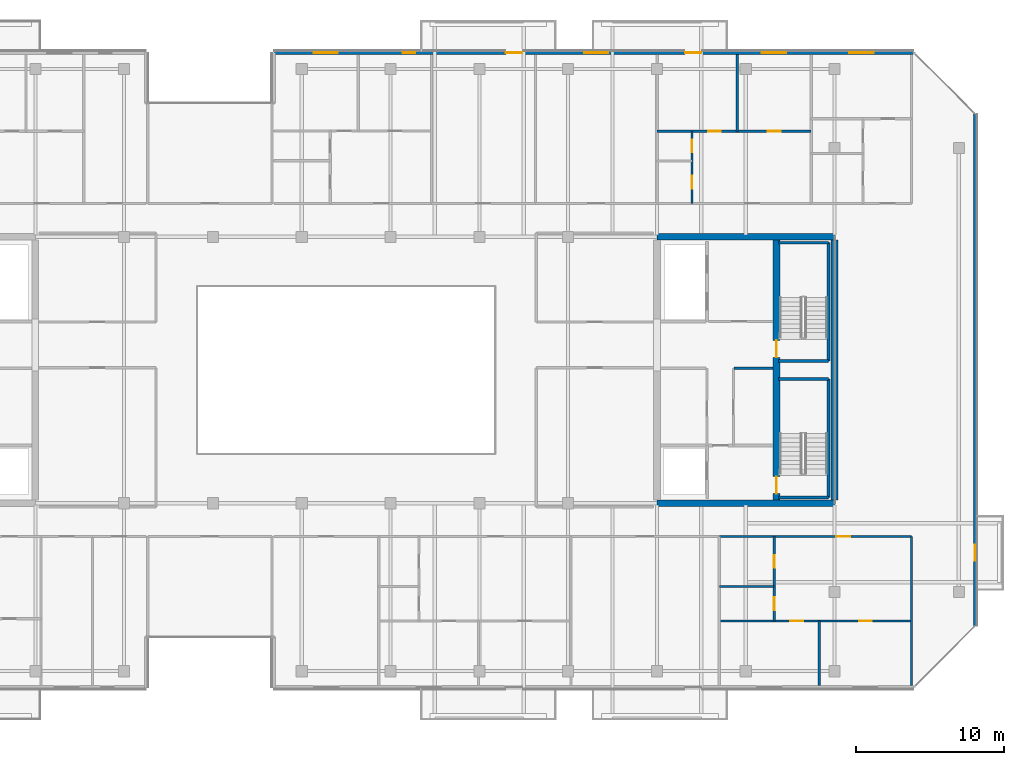
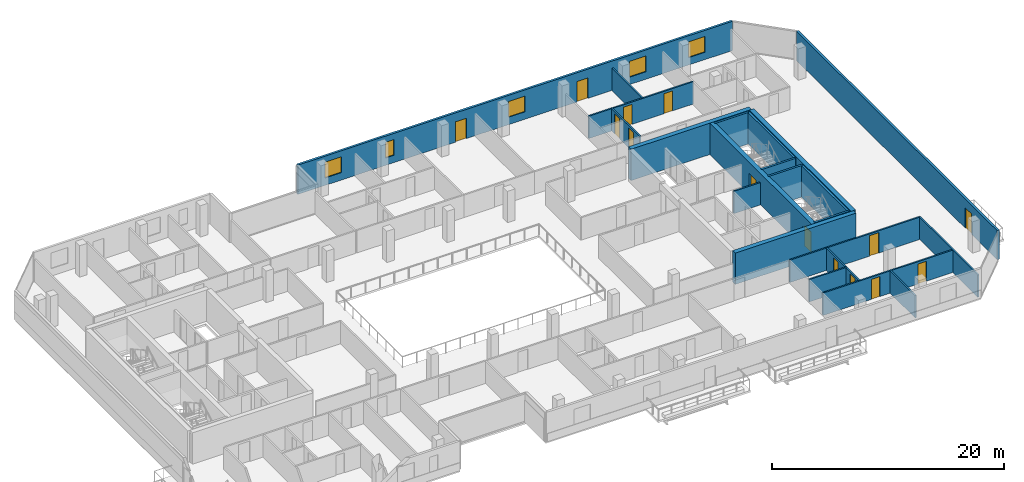
# One storey, part 22 of 28: 22 walls, 14 doors, 5 windows, 19 openings.
"""IFC4 building model written with IfcOpenShell, lengths in metres."""

from ifc_helpers import new_model, si_unit, direction, frame, frame_2d, origin, place, context, subcontext, project, spatial, rectangle, extrude, material, layer, layer_set, type_object, element, fill, save


model = new_model("IFC4")

# Units and contexts
model_context = context("Model", 3, precision=1e-05, world=origin(), true_north=direction((0.0, 1.0)))
body_context = subcontext(model_context, "Body", "Model", "MODEL_VIEW")
ifc_project = project(units=[si_unit("LENGTHUNIT", "METRE"), si_unit("AREAUNIT", "SQUARE_METRE"), si_unit("VOLUMEUNIT", "CUBIC_METRE"), si_unit("PLANEANGLEUNIT", "RADIAN"), si_unit("MASSUNIT", "GRAM", prefix="KILO")], contexts=[model_context])

# Site, building, storey
site_placement = place(None, origin())
site = spatial("IfcSite", under=ifc_project, at=site_placement, CompositionType="ELEMENT")
building_placement = place(site_placement, origin())
building = spatial("IfcBuilding", under=site, at=building_placement, Name="Tanjung Sevakor Pilgrim Tower", CompositionType="ELEMENT")
storey_placement = place(building_placement, frame((0.0, 0.0, 222.75)))
storey = spatial("IfcBuildingStorey", under=building, at=storey_placement, Name="L62", CompositionType="ELEMENT", Elevation=222.75)

# Walls
ifc_material_1 = material(Name="Concrete C60/75", Category="concrete")
ifc_layer_1 = layer(ifc_material_1, 0.449951171875)
ifc_layer_set_1 = layer_set([ifc_layer_1], Name="WALL-CW-450")
wall_type_1 = type_object("IfcWallType", Name="WALL-CW-450", PredefinedType="SHEAR", material=ifc_layer_set_1)
for number, where, z_axis, x_axis, name in (
    (1, (78.0, 24.60009765625, 0.0), (0.0, 0.0, 1.0), (1.0, 0.0, 0.0), "L62 E Core South Shear Wall"),
    (2, (90.0, 42.60009765625, 0.0), (0.0, 0.0, 1.0), (-1.0, 0.0, 0.0), "L62 E Core North Shear Wall"),
):
    element("IfcWall", number, at=place(storey_placement, frame(where, z_axis=z_axis, x_axis=x_axis)), inside=storey, type_object=wall_type_1, Name=name, PredefinedType="SHEAR", context=body_context, shape_type="SweptSolid", body=[
        extrude(rectangle(XDim=12.0, YDim=0.449951171875, at=frame_2d((6.0, 0.0))), origin(), (0.0, 0.0, 1.0), 3.300048828125),
    ])
wall_1_placement = place(storey_placement, frame((90.0, 24.824951171875, 0.0), z_axis=(0.0, 0.0, 1.0), x_axis=(0.0, 1.0, 0.0)))
element("IfcWall", 3, at=wall_1_placement, inside=storey, type_object=wall_type_1, Name="L62 E Core Outer Shear Wall", PredefinedType="SHEAR", context=body_context, shape_type="SweptSolid", body=[
    extrude(rectangle(XDim=17.550048828125, YDim=0.449951171875, at=frame_2d((8.77490234375, 0.0))), origin(), (0.0, 0.0, 1.0), 3.300048828125),
])

# Wall, openings, doors
wall_2_placement = place(storey_placement, frame((86.074951171875, 24.824951171875, 0.0), z_axis=(0.0, 0.0, 1.0), x_axis=(0.0, 1.0, 0.0)))
wall_2 = element("IfcWall", 4, at=wall_2_placement, inside=storey, type_object=wall_type_1, Name="L62 E Core Stair Spine Wall", PredefinedType="SHEAR", context=body_context, shape_type="SweptSolid", body=[
    extrude(rectangle(XDim=17.550048828125, YDim=0.449951171875, at=frame_2d((8.77490234375, 0.0))), origin(), (0.0, 0.0, 1.0), 3.300048828125),
])
opening_1_placement = place(wall_2_placement, frame((0.425048828125, 0.0, 0.0)))
opening_1 = element("IfcOpeningElement", 5, at=opening_1_placement, cuts=wall_2, Name="Opening ID-ST1", PredefinedType="OPENING", context=body_context, shape_type="SweptSolid", body=[
    extrude(rectangle(XDim=1.14990234375, YDim=2.14990234375, at=frame_2d((0.574951171875, 1.074951171875))), frame((0.0, 0.23486328125, 0.0), z_axis=(0.0, -1.0, 0.0), x_axis=(1.0, 0.0, 0.0)), (0.0, 0.0, 1.0), 0.469970703125),
])
opening_2_placement = place(wall_2_placement, frame((9.625, 0.0, 0.0)))
opening_2 = element("IfcOpeningElement", 6, at=opening_2_placement, cuts=wall_2, Name="Opening ID-ST1", PredefinedType="OPENING", context=body_context, shape_type="SweptSolid", body=[
    extrude(rectangle(XDim=1.14990234375, YDim=2.14990234375, at=frame_2d((0.574951171875, 1.074951171875))), frame((0.0, 0.23486328125, 0.0), z_axis=(0.0, -1.0, 0.0), x_axis=(1.0, 0.0, 0.0)), (0.0, 0.0, 1.0), 0.469970703125),
])
ifc_material_2 = material(Name="Fire-Rated Steel S355J2", Category="steel")
door_type_1 = type_object("IfcDoorType", Name="DT-FIRE-1150", OperationType="NOTDEFINED", PredefinedType="DOOR", material=ifc_material_2)
door_1_placement = place(opening_1_placement, origin())
door_1 = element("IfcDoor", 7, at=door_1_placement, inside=storey, type_object=door_type_1, Name="L62 TS-E1 Stair Fire Door", OperationType="SINGLE_SWING_RIGHT", OverallHeight=2.14990234375, OverallWidth=1.14990234375, PredefinedType="DOOR", context=body_context, shape_type="SweptSolid", body=[
    extrude(rectangle(XDim=1.14990234375, YDim=2.14990234375, at=frame_2d((0.574951171875, 1.074951171875))), frame((0.0, 0.02490234375, 0.0), z_axis=(0.0, -1.0, 0.0), x_axis=(1.0, 0.0, 0.0)), (0.0, 0.0, 1.0), 0.050048828125),
])
fill(opening_1, door_1)
door_2_placement = place(opening_2_placement, origin())
door_2 = element("IfcDoor", 8, at=door_2_placement, inside=storey, type_object=door_type_1, Name="L62 TS-E2 Stair Fire Door", OperationType="SINGLE_SWING_LEFT", OverallHeight=2.14990234375, OverallWidth=1.14990234375, PredefinedType="DOOR", context=body_context, shape_type="SweptSolid", body=[
    extrude(rectangle(XDim=1.14990234375, YDim=2.14990234375, at=frame_2d((0.574951171875, 1.074951171875))), frame((0.0, 0.02490234375, 0.0), z_axis=(0.0, -1.0, 0.0), x_axis=(1.0, 0.0, 0.0)), (0.0, 0.0, 1.0), 0.050048828125),
])
fill(opening_2, door_2)

# Walls
ifc_material_3 = material(Name="Concrete C40/50", Category="concrete")
ifc_layer_2 = layer(ifc_material_3, 0.14990234375)
ifc_layer_set_2 = layer_set([ifc_layer_2], Name="WT-COMP-150")
wall_type_2 = type_object("IfcWallType", Name="WT-COMP-150", PredefinedType="SOLIDWALL", material=ifc_layer_set_2)
wall_3_placement = place(storey_placement, frame((83.199951171875, 33.719970703125, 0.0), z_axis=(0.0, 0.0, 1.0), x_axis=(1.0, 0.0, 0.0)))
element("IfcWall", 9, at=wall_3_placement, inside=storey, type_object=wall_type_2, Name="L62 Partition IW-L62-012", PredefinedType="SOLIDWALL", context=body_context, shape_type="SweptSolid", body=[
    extrude(rectangle(XDim=2.630126953125, YDim=0.14990234375, at=frame_2d((1.31494140625, 0.0))), origin(), (0.0, 0.0, 1.0), 2.35009765625),
])
wall_4_placement = place(storey_placement, frame((95.199951171875, 12.27001953125, 0.0), z_axis=(0.0, 0.0, 1.0), x_axis=(0.0, 1.0, 0.0)))
element("IfcWall", 10, at=wall_4_placement, inside=storey, type_object=wall_type_2, Name="L62 Partition IW-L62-048", PredefinedType="SOLIDWALL", context=body_context, shape_type="SweptSolid", body=[
    extrude(rectangle(XDim=10.080078125, YDim=0.14990234375, at=frame_2d((5.0400390625, 0.0))), origin(), (0.0, 0.0, 1.0), 2.35009765625),
])

# Wall, opening, door
wall_5_placement = place(storey_placement, frame((82.216796875, 22.35009765625, 0.0), z_axis=(0.0, 0.0, 1.0), x_axis=(1.0, 0.0, 0.0)))
wall_5 = element("IfcWall", 11, at=wall_5_placement, inside=storey, type_object=wall_type_2, Name="L62 Partition IW-L62-063", PredefinedType="SOLIDWALL", context=body_context, shape_type="SweptSolid", body=[
    extrude(rectangle(XDim=12.983154296875, YDim=0.14990234375, at=frame_2d((6.49169921875, 0.0))), origin(), (0.0, 0.0, 1.0), 2.35009765625),
])
opening_3_placement = place(wall_5_placement, frame((7.908203125, 0.0, 0.0)))
opening_3 = element("IfcOpeningElement", 12, at=opening_3_placement, cuts=wall_5, Name="Opening ID-FD2", PredefinedType="OPENING", context=body_context, shape_type="SweptSolid", body=[
    extrude(rectangle(XDim=0.949951171875, YDim=2.14990234375, at=frame_2d((0.47509765625, 1.074951171875))), frame((0.0, 0.0849609375, 0.0), z_axis=(0.0, -1.0, 0.0), x_axis=(1.0, 0.0, 0.0)), (0.0, 0.0, 1.0), 0.169921875),
])
ifc_material_4 = material(Name="Fire-Rated Timber", Category="wood")
door_type_2 = type_object("IfcDoorType", Name="DT-FIRE-950", OperationType="NOTDEFINED", PredefinedType="DOOR", material=ifc_material_4)
door_3_placement = place(opening_3_placement, origin())
door_3 = element("IfcDoor", 13, at=door_3_placement, inside=storey, type_object=door_type_2, Name="Suite Entrance", OperationType="SINGLE_SWING_RIGHT", OverallHeight=2.14990234375, OverallWidth=0.949951171875, PredefinedType="DOOR", context=body_context, shape_type="SweptSolid", body=[
    extrude(rectangle(XDim=0.949951171875, YDim=2.14990234375, at=frame_2d((0.47509765625, 1.074951171875))), frame((0.0, 0.02490234375, 0.0), z_axis=(0.0, -1.0, 0.0), x_axis=(1.0, 0.0, 0.0)), (0.0, 0.0, 1.0), 0.050048828125),
])
fill(opening_3, door_3)

ifc_material_5 = material(Name="Precast concrete C45/55", Category="concrete")
ifc_layer_3 = layer(ifc_material_5, 0.219970703125)
ifc_layer_set_3 = layer_set([ifc_layer_3], Name="WT-EW-STN4")
wall_type_3 = type_object("IfcWallType", Name="WT-EW-STN4", PredefinedType="SOLIDWALL", material=ifc_layer_set_3)
wall_6_placement = place(storey_placement, frame((99.489990234375, 16.295654296875, 0.0), z_axis=(0.0, 0.0, 1.0), x_axis=(0.0, 1.0, 0.0)))
wall_6 = element("IfcWall", 14, at=wall_6_placement, inside=storey, type_object=wall_type_3, Name="L62 MAIN Exterior Wall 7", PredefinedType="SOLIDWALL", context=body_context, shape_type="SweptSolid", body=[
    extrude(rectangle(XDim=34.608642578125, YDim=0.219970703125, at=frame_2d((17.30419921875, 0.0))), origin(), (0.0, 0.0, 1.0), 3.080078125),
])
opening_4_placement = place(wall_6_placement, frame((4.404296875, 0.0, 0.0)))
opening_4 = element("IfcOpeningElement", 15, at=opening_4_placement, cuts=wall_6, Name="Opening ED-BAL-1100", PredefinedType="OPENING", context=body_context, shape_type="SweptSolid", body=[
    extrude(rectangle(XDim=1.10009765625, YDim=2.14990234375, at=frame_2d((0.550048828125, 1.074951171875))), frame((0.0, 0.119873046875, 0.0), z_axis=(0.0, -1.0, 0.0), x_axis=(1.0, 0.0, 0.0)), (0.0, 0.0, 1.0), 0.239990234375),
])
ifc_material_6 = material(Name="Anodised Aluminium and Laminated Glass", Category="aluminium")
door_type_3 = type_object("IfcDoorType", Name="DTYP-ED-BAL-1100", OperationType="NOTDEFINED", PredefinedType="DOOR", material=ifc_material_6)
door_4_placement = place(opening_4_placement, frame((1.10009765625, 0.0, 0.0), z_axis=(0.0, 0.0, 1.0), x_axis=(-1.0, 0.0, 0.0)))
door_4 = element("IfcDoor", 16, at=door_4_placement, inside=storey, type_object=door_type_3, Name="L62 East Loggia Door MAIN-E1", OperationType="SINGLE_SWING_RIGHT", OverallHeight=2.14990234375, OverallWidth=1.10009765625, PredefinedType="DOOR", context=body_context, shape_type="SweptSolid", body=[
    extrude(rectangle(XDim=1.10009765625, YDim=2.14990234375, at=frame_2d((0.550048828125, 1.074951171875))), frame((0.0, 0.02490234375, 0.0), z_axis=(0.0, -1.0, 0.0), x_axis=(1.0, 0.0, 0.0)), (0.0, 0.0, 1.0), 0.050048828125),
])
fill(opening_4, door_4)

# Wall, openings, doors, windows
wall_7_placement = place(storey_placement, frame((95.3544921875, 55.0400390625, 0.0), z_axis=(0.0, 0.0, 1.0), x_axis=(-1.0, 0.0, 0.0)))
wall_7 = element("IfcWall", 17, at=wall_7_placement, inside=storey, type_object=wall_type_3, Name="L62 MAIN Exterior Wall 9", PredefinedType="SOLIDWALL", context=body_context, shape_type="SweptSolid", body=[
    extrude(rectangle(XDim=43.244384765625, YDim=0.219970703125, at=frame_2d((21.6220703125, 0.0))), origin(), (0.0, 0.0, 1.0), 3.080078125),
])
opening_5_placement = place(wall_7_placement, frame((26.454345703125, 0.0, 0.0)))
opening_5 = element("IfcOpeningElement", 18, at=opening_5_placement, cuts=wall_7, Name="Opening ED-BAL-1100", PredefinedType="OPENING", context=body_context, shape_type="SweptSolid", body=[
    extrude(rectangle(XDim=1.10009765625, YDim=2.14990234375, at=frame_2d((0.550048828125, 1.074951171875))), frame((0.0, 0.119873046875, 0.0), z_axis=(0.0, -1.0, 0.0), x_axis=(1.0, 0.0, 0.0)), (0.0, 0.0, 1.0), 0.239990234375),
])
opening_6_placement = place(wall_7_placement, frame((14.3544921875, 0.0, 0.0)))
opening_6 = element("IfcOpeningElement", 19, at=opening_6_placement, cuts=wall_7, Name="Opening ED-BAL-1100", PredefinedType="OPENING", context=body_context, shape_type="SweptSolid", body=[
    extrude(rectangle(XDim=1.10009765625, YDim=2.14990234375, at=frame_2d((0.550048828125, 1.074951171875))), frame((0.0, 0.119873046875, 0.0), z_axis=(0.0, -1.0, 0.0), x_axis=(1.0, 0.0, 0.0)), (0.0, 0.0, 1.0), 0.239990234375),
])
opening_7_placement = place(wall_7_placement, frame((38.909423828125, 0.0, 0.780029296875)))
opening_7 = element("IfcOpeningElement", 20, at=opening_7_placement, cuts=wall_7, Name="Opening WN-Z4-1660", PredefinedType="OPENING", context=body_context, shape_type="SweptSolid", body=[
    extrude(rectangle(XDim=1.64990234375, YDim=1.659912109375, at=frame_2d((0.824951171875, 0.830078125))), frame((0.0, 0.119873046875, 0.0), z_axis=(0.0, -1.0, 0.0), x_axis=(1.0, 0.0, 0.0)), (0.0, 0.0, 1.0), 0.239990234375),
])
opening_8_placement = place(wall_7_placement, frame((33.684814453125, 0.0, 0.780029296875)))
opening_8 = element("IfcOpeningElement", 21, at=opening_8_placement, cuts=wall_7, Name="Opening WN-SLM", PredefinedType="OPENING", context=body_context, shape_type="SweptSolid", body=[
    extrude(rectangle(XDim=0.85009765625, YDim=1.64990234375, at=frame_2d((0.425048828125, 0.824951171875))), frame((0.0, 0.119873046875, 0.0), z_axis=(0.0, -1.0, 0.0), x_axis=(1.0, 0.0, 0.0)), (0.0, 0.0, 1.0), 0.239990234375),
])
opening_9_placement = place(wall_7_placement, frame((20.627197265625, 0.0, 0.780029296875)))
opening_9 = element("IfcOpeningElement", 22, at=opening_9_placement, cuts=wall_7, Name="Opening WN-Z4-1660", PredefinedType="OPENING", context=body_context, shape_type="SweptSolid", body=[
    extrude(rectangle(XDim=1.64990234375, YDim=1.659912109375, at=frame_2d((0.824951171875, 0.830078125))), frame((0.0, 0.119873046875, 0.0), z_axis=(0.0, -1.0, 0.0), x_axis=(1.0, 0.0, 0.0)), (0.0, 0.0, 1.0), 0.239990234375),
])
opening_10_placement = place(wall_7_placement, frame((8.613525390625, 0.0, 0.780029296875)))
opening_10 = element("IfcOpeningElement", 23, at=opening_10_placement, cuts=wall_7, Name="Opening WN-Z4-1660", PredefinedType="OPENING", context=body_context, shape_type="SweptSolid", body=[
    extrude(rectangle(XDim=1.64990234375, YDim=1.659912109375, at=frame_2d((0.824951171875, 0.830078125))), frame((0.0, 0.119873046875, 0.0), z_axis=(0.0, -1.0, 0.0), x_axis=(1.0, 0.0, 0.0)), (0.0, 0.0, 1.0), 0.239990234375),
])
opening_11_placement = place(wall_7_placement, frame((2.717529296875, 0.0, 0.780029296875)))
opening_11 = element("IfcOpeningElement", 24, at=opening_11_placement, cuts=wall_7, Name="Opening WN-Z4-1660", PredefinedType="OPENING", context=body_context, shape_type="SweptSolid", body=[
    extrude(rectangle(XDim=1.64990234375, YDim=1.659912109375, at=frame_2d((0.824951171875, 0.830078125))), frame((0.0, 0.119873046875, 0.0), z_axis=(0.0, -1.0, 0.0), x_axis=(1.0, 0.0, 0.0)), (0.0, 0.0, 1.0), 0.239990234375),
])
door_5_placement = place(opening_5_placement, frame((1.10009765625, 0.0, 0.0), z_axis=(0.0, 0.0, 1.0), x_axis=(-1.0, 0.0, 0.0)))
door_5 = element("IfcDoor", 25, at=door_5_placement, inside=storey, type_object=door_type_3, Name="L62 Balcony Door MAIN-N2", OperationType="SINGLE_SWING_LEFT", OverallHeight=2.14990234375, OverallWidth=1.10009765625, PredefinedType="DOOR", context=body_context, shape_type="SweptSolid", body=[
    extrude(rectangle(XDim=1.10009765625, YDim=2.14990234375, at=frame_2d((0.550048828125, 1.074951171875))), frame((0.0, 0.02490234375, 0.0), z_axis=(0.0, -1.0, 0.0), x_axis=(1.0, 0.0, 0.0)), (0.0, 0.0, 1.0), 0.050048828125),
])
fill(opening_5, door_5)
door_6_placement = place(opening_6_placement, frame((1.10009765625, 0.0, 0.0), z_axis=(0.0, 0.0, 1.0), x_axis=(-1.0, 0.0, 0.0)))
door_6 = element("IfcDoor", 26, at=door_6_placement, inside=storey, type_object=door_type_3, Name="L62 Balcony Door MAIN-N3", OperationType="SINGLE_SWING_RIGHT", OverallHeight=2.14990234375, OverallWidth=1.10009765625, PredefinedType="DOOR", context=body_context, shape_type="SweptSolid", body=[
    extrude(rectangle(XDim=1.10009765625, YDim=2.14990234375, at=frame_2d((0.550048828125, 1.074951171875))), frame((0.0, 0.02490234375, 0.0), z_axis=(0.0, -1.0, 0.0), x_axis=(1.0, 0.0, 0.0)), (0.0, 0.0, 1.0), 0.050048828125),
])
fill(opening_6, door_6)
ifc_material_7 = material(Name="Thermally Broken Aluminium and Low-E Glass", Category="aluminium")
window_type_1 = type_object("IfcWindowType", Name="WTYP-WN-SLM", PartitioningType="SINGLE_PANEL", PredefinedType="WINDOW", material=ifc_material_7)
window_1_placement = place(opening_8_placement, origin())
window_1 = element("IfcWindow", 27, at=window_1_placement, inside=storey, type_object=window_type_1, Name="L62 Facade Window 02", OverallHeight=1.64990234375, OverallWidth=0.85009765625, PartitioningType="SINGLE_PANEL", PredefinedType="WINDOW", context=body_context, shape_type="SweptSolid", body=[
    extrude(rectangle(XDim=0.85009765625, YDim=1.64990234375, at=frame_2d((0.425048828125, 0.824951171875))), frame((0.0, 0.030029296875, 0.0), z_axis=(0.0, -1.0, 0.0), x_axis=(1.0, 0.0, 0.0)), (0.0, 0.0, 1.0), 0.06005859375),
])
fill(opening_8, window_1)
ifc_material_8 = material(Name="Thermally Broken Aluminium and Low-E Glass", Category="aluminium")
window_type_2 = type_object("IfcWindowType", Name="WTYP-WN-Z4-1660", PartitioningType="DOUBLE_PANEL_VERTICAL", PredefinedType="WINDOW", material=ifc_material_8)
window_2_placement = place(opening_7_placement, origin())
window_2 = element("IfcWindow", 28, at=window_2_placement, inside=storey, type_object=window_type_2, Name="L62 Facade Window 01", OverallHeight=1.659912109375, OverallWidth=1.64990234375, PartitioningType="SINGLE_PANEL", PredefinedType="WINDOW", context=body_context, shape_type="SweptSolid", body=[
    extrude(rectangle(XDim=1.64990234375, YDim=1.659912109375, at=frame_2d((0.824951171875, 0.830078125))), frame((0.0, 0.030029296875, 0.0), z_axis=(0.0, -1.0, 0.0), x_axis=(1.0, 0.0, 0.0)), (0.0, 0.0, 1.0), 0.06005859375),
])
fill(opening_7, window_2)
window_3_placement = place(opening_9_placement, origin())
window_3 = element("IfcWindow", 29, at=window_3_placement, inside=storey, type_object=window_type_2, Name="L62 Facade Window 03", OverallHeight=1.659912109375, OverallWidth=1.64990234375, PartitioningType="SINGLE_PANEL", PredefinedType="WINDOW", context=body_context, shape_type="SweptSolid", body=[
    extrude(rectangle(XDim=1.64990234375, YDim=1.659912109375, at=frame_2d((0.824951171875, 0.830078125))), frame((0.0, 0.030029296875, 0.0), z_axis=(0.0, -1.0, 0.0), x_axis=(1.0, 0.0, 0.0)), (0.0, 0.0, 1.0), 0.06005859375),
])
fill(opening_9, window_3)
window_4_placement = place(opening_10_placement, origin())
window_4 = element("IfcWindow", 30, at=window_4_placement, inside=storey, type_object=window_type_2, Name="L62 Facade Window 04", OverallHeight=1.659912109375, OverallWidth=1.64990234375, PartitioningType="SINGLE_PANEL", PredefinedType="WINDOW", context=body_context, shape_type="SweptSolid", body=[
    extrude(rectangle(XDim=1.64990234375, YDim=1.659912109375, at=frame_2d((0.824951171875, 0.830078125))), frame((0.0, 0.030029296875, 0.0), z_axis=(0.0, -1.0, 0.0), x_axis=(1.0, 0.0, 0.0)), (0.0, 0.0, 1.0), 0.06005859375),
])
fill(opening_10, window_4)
window_5_placement = place(opening_11_placement, origin())
window_5 = element("IfcWindow", 31, at=window_5_placement, inside=storey, type_object=window_type_2, Name="L62 Facade Window 05", OverallHeight=1.659912109375, OverallWidth=1.64990234375, PartitioningType="SINGLE_PANEL", PredefinedType="WINDOW", context=body_context, shape_type="SweptSolid", body=[
    extrude(rectangle(XDim=1.64990234375, YDim=1.659912109375, at=frame_2d((0.824951171875, 0.830078125))), frame((0.0, 0.030029296875, 0.0), z_axis=(0.0, -1.0, 0.0), x_axis=(1.0, 0.0, 0.0)), (0.0, 0.0, 1.0), 0.06005859375),
])
fill(opening_11, window_5)

# Walls
ifc_material_9 = material(Name="Concrete C40/50", Category="concrete")
ifc_layer_4 = layer(ifc_material_9, 0.199951171875)
ifc_layer_set_4 = layer_set([ifc_layer_4], Name="WT-FIRE-200")
wall_type_4 = type_object("IfcWallType", Name="WT-FIRE-200", PredefinedType="SOLIDWALL", material=ifc_layer_set_4)
wall_8_placement = place(storey_placement, frame((86.199951171875, 25.0, 0.0), z_axis=(0.0, 0.0, 1.0), x_axis=(1.0, 0.0, 0.0)))
element("IfcWall", 32, at=wall_8_placement, inside=storey, type_object=wall_type_4, Name="L62 TS-E1 Shaft Wall 1", PredefinedType="SOLIDWALL", context=body_context, shape_type="SweptSolid", body=[
    extrude(rectangle(XDim=3.400146484375, YDim=0.199951171875, at=frame_2d((1.7001953125, 0.0))), origin(), (0.0, 0.0, 1.0), 3.300048828125),
])
wall_9_placement = place(storey_placement, frame((89.60009765625, 25.0, 0.0), z_axis=(0.0, 0.0, 1.0), x_axis=(0.0, 1.0, 0.0)))
element("IfcWall", 33, at=wall_9_placement, inside=storey, type_object=wall_type_4, Name="L62 TS-E1 Shaft Wall 2", PredefinedType="SOLIDWALL", context=body_context, shape_type="SweptSolid", body=[
    extrude(rectangle(XDim=8.0, YDim=0.199951171875, at=frame_2d((4.0, 0.0))), origin(), (0.0, 0.0, 1.0), 3.300048828125),
])
for number, where, z_axis, x_axis, name in (
    (34, (89.60009765625, 33.0, 0.0), (0.0, 0.0, 1.0), (-1.0, 0.0, 0.0), "L62 TS-E1 Shaft Wall 3"),
    (35, (86.199951171875, 34.199951171875, 0.0), (0.0, 0.0, 1.0), (1.0, 0.0, 0.0), "L62 TS-E2 Shaft Wall 1"),
):
    element("IfcWall", number, at=place(storey_placement, frame(where, z_axis=z_axis, x_axis=x_axis)), inside=storey, type_object=wall_type_4, Name=name, PredefinedType="SOLIDWALL", context=body_context, shape_type="SweptSolid", body=[
        extrude(rectangle(XDim=3.400146484375, YDim=0.199951171875, at=frame_2d((1.7001953125, 0.0))), origin(), (0.0, 0.0, 1.0), 3.300048828125),
    ])
wall_10_placement = place(storey_placement, frame((89.60009765625, 34.199951171875, 0.0), z_axis=(0.0, 0.0, 1.0), x_axis=(0.0, 1.0, 0.0)))
element("IfcWall", 36, at=wall_10_placement, inside=storey, type_object=wall_type_4, Name="L62 TS-E2 Shaft Wall 2", PredefinedType="SOLIDWALL", context=body_context, shape_type="SweptSolid", body=[
    extrude(rectangle(XDim=8.0, YDim=0.199951171875, at=frame_2d((4.0, 0.0))), origin(), (0.0, 0.0, 1.0), 3.300048828125),
])
wall_11_placement = place(storey_placement, frame((89.60009765625, 42.199951171875, 0.0), z_axis=(0.0, 0.0, 1.0), x_axis=(-1.0, 0.0, 0.0)))
element("IfcWall", 37, at=wall_11_placement, inside=storey, type_object=wall_type_4, Name="L62 TS-E2 Shaft Wall 3", PredefinedType="SOLIDWALL", context=body_context, shape_type="SweptSolid", body=[
    extrude(rectangle(XDim=3.400146484375, YDim=0.199951171875, at=frame_2d((1.7001953125, 0.0))), origin(), (0.0, 0.0, 1.0), 3.300048828125),
])
ifc_material_10 = material(Name="Gypsum Board Partition", Category="gypsum board")
ifc_layer_5 = layer(ifc_material_10, 0.14990234375)
ifc_layer_set_5 = layer_set([ifc_layer_5], Name="WT-PART-150")
wall_type_5 = type_object("IfcWallType", Name="WT-PART-150", PredefinedType="PARTITIONING", material=ifc_layer_set_5)
wall_12_placement = place(storey_placement, frame((82.216796875, 18.98095703125, 0.0), z_axis=(0.0, 0.0, 1.0), x_axis=(1.0, 0.0, 0.0)))
element("IfcWall", 38, at=wall_12_placement, inside=storey, type_object=wall_type_5, Name="L62 Partition IW-L62-059", PredefinedType="PARTITIONING", context=body_context, shape_type="SweptSolid", body=[
    extrude(rectangle(XDim=3.703125, YDim=0.14990234375, at=frame_2d((1.8515625, 0.0))), origin(), (0.0, 0.0, 1.0), 2.35009765625),
])

# Wall, openings, doors
wall_13_placement = place(storey_placement, frame((85.919921875, 16.6396484375, 0.0), z_axis=(0.0, 0.0, 1.0), x_axis=(0.0, 1.0, 0.0)))
wall_13 = element("IfcWall", 39, at=wall_13_placement, inside=storey, type_object=wall_type_5, Name="L62 Partition IW-L62-060", PredefinedType="PARTITIONING", context=body_context, shape_type="SweptSolid", body=[
    extrude(rectangle(XDim=5.71044921875, YDim=0.14990234375, at=frame_2d((2.855224609375, 0.0))), origin(), (0.0, 0.0, 1.0), 2.35009765625),
])
opening_12_placement = place(wall_13_placement, frame((0.74560546875, 0.0, 0.0)))
opening_12 = element("IfcOpeningElement", 40, at=opening_12_placement, cuts=wall_13, Name="Opening ID-WC1", PredefinedType="OPENING", context=body_context, shape_type="SweptSolid", body=[
    extrude(rectangle(XDim=0.85009765625, YDim=2.10009765625, at=frame_2d((0.425048828125, 1.050048828125))), frame((0.0, 0.0849609375, 0.0), z_axis=(0.0, -1.0, 0.0), x_axis=(1.0, 0.0, 0.0)), (0.0, 0.0, 1.0), 0.169921875),
])
opening_13_placement = place(wall_13_placement, frame((3.600830078125, 0.0, 0.0)))
opening_13 = element("IfcOpeningElement", 41, at=opening_13_placement, cuts=wall_13, Name="Opening ID-WC1", PredefinedType="OPENING", context=body_context, shape_type="SweptSolid", body=[
    extrude(rectangle(XDim=0.85009765625, YDim=2.10009765625, at=frame_2d((0.425048828125, 1.050048828125))), frame((0.0, 0.0849609375, 0.0), z_axis=(0.0, -1.0, 0.0), x_axis=(1.0, 0.0, 0.0)), (0.0, 0.0, 1.0), 0.169921875),
])
ifc_material_11 = material(Name="Moisture-Resistant Timber", Category="wood")
door_type_4 = type_object("IfcDoorType", Name="DT-INT-850", OperationType="NOTDEFINED", PredefinedType="DOOR", material=ifc_material_11)
door_7_placement = place(opening_12_placement, origin())
door_7 = element("IfcDoor", 42, at=door_7_placement, inside=storey, type_object=door_type_4, Name="Suite Bathroom Door", OperationType="SINGLE_SWING_RIGHT", OverallHeight=2.10009765625, OverallWidth=0.85009765625, PredefinedType="DOOR", context=body_context, shape_type="SweptSolid", body=[
    extrude(rectangle(XDim=0.85009765625, YDim=2.10009765625, at=frame_2d((0.425048828125, 1.050048828125))), frame((0.0, 0.02490234375, 0.0), z_axis=(0.0, -1.0, 0.0), x_axis=(1.0, 0.0, 0.0)), (0.0, 0.0, 1.0), 0.050048828125),
])
fill(opening_12, door_7)
door_8_placement = place(opening_13_placement, origin())
door_8 = element("IfcDoor", 43, at=door_8_placement, inside=storey, type_object=door_type_4, Name="Suite Kitchenette Door", OperationType="SINGLE_SWING_LEFT", OverallHeight=2.10009765625, OverallWidth=0.85009765625, PredefinedType="DOOR", context=body_context, shape_type="SweptSolid", body=[
    extrude(rectangle(XDim=0.85009765625, YDim=2.10009765625, at=frame_2d((0.425048828125, 1.050048828125))), frame((0.0, 0.02490234375, 0.0), z_axis=(0.0, -1.0, 0.0), x_axis=(1.0, 0.0, 0.0)), (0.0, 0.0, 1.0), 0.050048828125),
])
fill(opening_13, door_8)

# Wall
wall_14_placement = place(storey_placement, frame((88.968017578125, 12.27001953125, 0.0), z_axis=(0.0, 0.0, 1.0), x_axis=(0.0, 1.0, 0.0)))
element("IfcWall", 44, at=wall_14_placement, inside=storey, type_object=wall_type_5, Name="L62 Partition IW-L62-061", PredefinedType="PARTITIONING", context=body_context, shape_type="SweptSolid", body=[
    extrude(rectangle(XDim=4.36962890625, YDim=0.14990234375, at=frame_2d((2.184814453125, 0.0))), origin(), (0.0, 0.0, 1.0), 2.35009765625),
])

# Wall, openings, doors
wall_15_placement = place(storey_placement, frame((82.216796875, 16.6396484375, 0.0), z_axis=(0.0, 0.0, 1.0), x_axis=(1.0, 0.0, 0.0)))
wall_15 = element("IfcWall", 45, at=wall_15_placement, inside=storey, type_object=wall_type_5, Name="L62 Partition IW-L62-062", PredefinedType="PARTITIONING", context=body_context, shape_type="SweptSolid", body=[
    extrude(rectangle(XDim=12.983154296875, YDim=0.14990234375, at=frame_2d((6.49169921875, 0.0))), origin(), (0.0, 0.0, 1.0), 2.35009765625),
])
opening_14_placement = place(wall_15_placement, frame((4.80224609375, 0.0, 0.0)))
opening_14 = element("IfcOpeningElement", 46, at=opening_14_placement, cuts=wall_15, Name="Opening ID-WC1", PredefinedType="OPENING", context=body_context, shape_type="SweptSolid", body=[
    extrude(rectangle(XDim=0.85009765625, YDim=2.10009765625, at=frame_2d((0.425048828125, 1.050048828125))), frame((0.0, 0.0849609375, 0.0), z_axis=(0.0, -1.0, 0.0), x_axis=(1.0, 0.0, 0.0)), (0.0, 0.0, 1.0), 0.169921875),
])
opening_15_placement = place(wall_15_placement, frame((9.442138671875, 0.0, 0.0)))
opening_15 = element("IfcOpeningElement", 47, at=opening_15_placement, cuts=wall_15, Name="Opening ID-WC1", PredefinedType="OPENING", context=body_context, shape_type="SweptSolid", body=[
    extrude(rectangle(XDim=0.85009765625, YDim=2.10009765625, at=frame_2d((0.425048828125, 1.050048828125))), frame((0.0, 0.0849609375, 0.0), z_axis=(0.0, -1.0, 0.0), x_axis=(1.0, 0.0, 0.0)), (0.0, 0.0, 1.0), 0.169921875),
])
door_9_placement = place(opening_14_placement, origin())
door_9 = element("IfcDoor", 48, at=door_9_placement, inside=storey, type_object=door_type_4, Name="Suite Bedroom 1 Door", OperationType="SINGLE_SWING_RIGHT", OverallHeight=2.10009765625, OverallWidth=0.85009765625, PredefinedType="DOOR", context=body_context, shape_type="SweptSolid", body=[
    extrude(rectangle(XDim=0.85009765625, YDim=2.10009765625, at=frame_2d((0.425048828125, 1.050048828125))), frame((0.0, 0.02490234375, 0.0), z_axis=(0.0, -1.0, 0.0), x_axis=(1.0, 0.0, 0.0)), (0.0, 0.0, 1.0), 0.050048828125),
])
fill(opening_14, door_9)
door_10_placement = place(opening_15_placement, origin())
door_10 = element("IfcDoor", 49, at=door_10_placement, inside=storey, type_object=door_type_4, Name="Suite Bedroom 2 Door", OperationType="SINGLE_SWING_LEFT", OverallHeight=2.10009765625, OverallWidth=0.85009765625, PredefinedType="DOOR", context=body_context, shape_type="SweptSolid", body=[
    extrude(rectangle(XDim=0.85009765625, YDim=2.10009765625, at=frame_2d((0.425048828125, 1.050048828125))), frame((0.0, 0.02490234375, 0.0), z_axis=(0.0, -1.0, 0.0), x_axis=(1.0, 0.0, 0.0)), (0.0, 0.0, 1.0), 0.050048828125),
])
fill(opening_15, door_10)

wall_16_placement = place(storey_placement, frame((80.366455078125, 44.85009765625, 0.0), z_axis=(0.0, 0.0, 1.0), x_axis=(0.0, 1.0, 0.0)))
wall_16 = element("IfcWall", 50, at=wall_16_placement, inside=storey, type_object=wall_type_5, Name="L62 Partition IW-L62-087", PredefinedType="PARTITIONING", context=body_context, shape_type="SweptSolid", body=[
    extrude(rectangle(XDim=4.8798828125, YDim=0.14990234375, at=frame_2d((2.43994140625, 0.0))), origin(), (0.0, 0.0, 1.0), 2.35009765625),
])
opening_16_placement = place(wall_16_placement, frame((1.0146484375, 0.0, 0.0)))
opening_16 = element("IfcOpeningElement", 51, at=opening_16_placement, cuts=wall_16, Name="Opening ID-WC1", PredefinedType="OPENING", context=body_context, shape_type="SweptSolid", body=[
    extrude(rectangle(XDim=0.85009765625, YDim=2.10009765625, at=frame_2d((0.425048828125, 1.050048828125))), frame((0.0, 0.0849609375, 0.0), z_axis=(0.0, -1.0, 0.0), x_axis=(1.0, 0.0, 0.0)), (0.0, 0.0, 1.0), 0.169921875),
])
opening_17_placement = place(wall_16_placement, frame((3.45458984375, 0.0, 0.0)))
opening_17 = element("IfcOpeningElement", 52, at=opening_17_placement, cuts=wall_16, Name="Opening ID-WC1", PredefinedType="OPENING", context=body_context, shape_type="SweptSolid", body=[
    extrude(rectangle(XDim=0.85009765625, YDim=2.10009765625, at=frame_2d((0.425048828125, 1.050048828125))), frame((0.0, 0.0849609375, 0.0), z_axis=(0.0, -1.0, 0.0), x_axis=(1.0, 0.0, 0.0)), (0.0, 0.0, 1.0), 0.169921875),
])
door_11_placement = place(opening_16_placement, origin())
door_11 = element("IfcDoor", 53, at=door_11_placement, inside=storey, type_object=door_type_4, Name="Suite Kitchenette Door", OperationType="SINGLE_SWING_LEFT", OverallHeight=2.10009765625, OverallWidth=0.85009765625, PredefinedType="DOOR", context=body_context, shape_type="SweptSolid", body=[
    extrude(rectangle(XDim=0.85009765625, YDim=2.10009765625, at=frame_2d((0.425048828125, 1.050048828125))), frame((0.0, 0.02490234375, 0.0), z_axis=(0.0, -1.0, 0.0), x_axis=(1.0, 0.0, 0.0)), (0.0, 0.0, 1.0), 0.050048828125),
])
fill(opening_16, door_11)
door_12_placement = place(opening_17_placement, origin())
door_12 = element("IfcDoor", 54, at=door_12_placement, inside=storey, type_object=door_type_4, Name="Suite Bathroom Door", OperationType="SINGLE_SWING_RIGHT", OverallHeight=2.10009765625, OverallWidth=0.85009765625, PredefinedType="DOOR", context=body_context, shape_type="SweptSolid", body=[
    extrude(rectangle(XDim=0.85009765625, YDim=2.10009765625, at=frame_2d((0.425048828125, 1.050048828125))), frame((0.0, 0.02490234375, 0.0), z_axis=(0.0, -1.0, 0.0), x_axis=(1.0, 0.0, 0.0)), (0.0, 0.0, 1.0), 0.050048828125),
])
fill(opening_17, door_12)

# Wall
wall_17_placement = place(storey_placement, frame((83.427978515625, 49.72998046875, 0.0), z_axis=(0.0, 0.0, 1.0), x_axis=(0.0, 1.0, 0.0)))
element("IfcWall", 55, at=wall_17_placement, inside=storey, type_object=wall_type_5, Name="L62 Partition IW-L62-088", PredefinedType="PARTITIONING", context=body_context, shape_type="SweptSolid", body=[
    extrude(rectangle(XDim=5.199951171875, YDim=0.14990234375, at=frame_2d((2.60009765625, 0.0))), origin(), (0.0, 0.0, 1.0), 2.35009765625),
])

# Wall, openings, doors
wall_18_placement = place(storey_placement, frame((78.0166015625, 49.72998046875, 0.0), z_axis=(0.0, 0.0, 1.0), x_axis=(1.0, 0.0, 0.0)))
wall_18 = element("IfcWall", 56, at=wall_18_placement, inside=storey, type_object=wall_type_5, Name="L62 Partition IW-L62-089", PredefinedType="PARTITIONING", context=body_context, shape_type="SweptSolid", body=[
    extrude(rectangle(XDim=10.406982421875, YDim=0.14990234375, at=frame_2d((5.20361328125, 0.0))), origin(), (0.0, 0.0, 1.0), 2.35009765625),
])
opening_18_placement = place(wall_18_placement, frame((3.455810546875, 0.0, 0.0)))
opening_18 = element("IfcOpeningElement", 57, at=opening_18_placement, cuts=wall_18, Name="Opening ID-WC1", PredefinedType="OPENING", context=body_context, shape_type="SweptSolid", body=[
    extrude(rectangle(XDim=0.85009765625, YDim=2.10009765625, at=frame_2d((0.425048828125, 1.050048828125))), frame((0.0, 0.0849609375, 0.0), z_axis=(0.0, -1.0, 0.0), x_axis=(1.0, 0.0, 0.0)), (0.0, 0.0, 1.0), 0.169921875),
])
opening_19_placement = place(wall_18_placement, frame((7.484375, 0.0, 0.0)))
opening_19 = element("IfcOpeningElement", 58, at=opening_19_placement, cuts=wall_18, Name="Opening ID-WC1", PredefinedType="OPENING", context=body_context, shape_type="SweptSolid", body=[
    extrude(rectangle(XDim=0.85009765625, YDim=2.10009765625, at=frame_2d((0.425048828125, 1.050048828125))), frame((0.0, 0.0849609375, 0.0), z_axis=(0.0, -1.0, 0.0), x_axis=(1.0, 0.0, 0.0)), (0.0, 0.0, 1.0), 0.169921875),
])
door_13_placement = place(opening_18_placement, origin())
door_13 = element("IfcDoor", 59, at=door_13_placement, inside=storey, type_object=door_type_4, Name="Suite Bedroom 1 Door", OperationType="SINGLE_SWING_LEFT", OverallHeight=2.10009765625, OverallWidth=0.85009765625, PredefinedType="DOOR", context=body_context, shape_type="SweptSolid", body=[
    extrude(rectangle(XDim=0.85009765625, YDim=2.10009765625, at=frame_2d((0.425048828125, 1.050048828125))), frame((0.0, 0.02490234375, 0.0), z_axis=(0.0, -1.0, 0.0), x_axis=(1.0, 0.0, 0.0)), (0.0, 0.0, 1.0), 0.050048828125),
])
fill(opening_18, door_13)
door_14_placement = place(opening_19_placement, origin())
door_14 = element("IfcDoor", 60, at=door_14_placement, inside=storey, type_object=door_type_4, Name="Suite Bedroom 2 Door", OperationType="SINGLE_SWING_RIGHT", OverallHeight=2.10009765625, OverallWidth=0.85009765625, PredefinedType="DOOR", context=body_context, shape_type="SweptSolid", body=[
    extrude(rectangle(XDim=0.85009765625, YDim=2.10009765625, at=frame_2d((0.425048828125, 1.050048828125))), frame((0.0, 0.02490234375, 0.0), z_axis=(0.0, -1.0, 0.0), x_axis=(1.0, 0.0, 0.0)), (0.0, 0.0, 1.0), 0.050048828125),
])
fill(opening_19, door_14)

save(model, "model.ifc")
